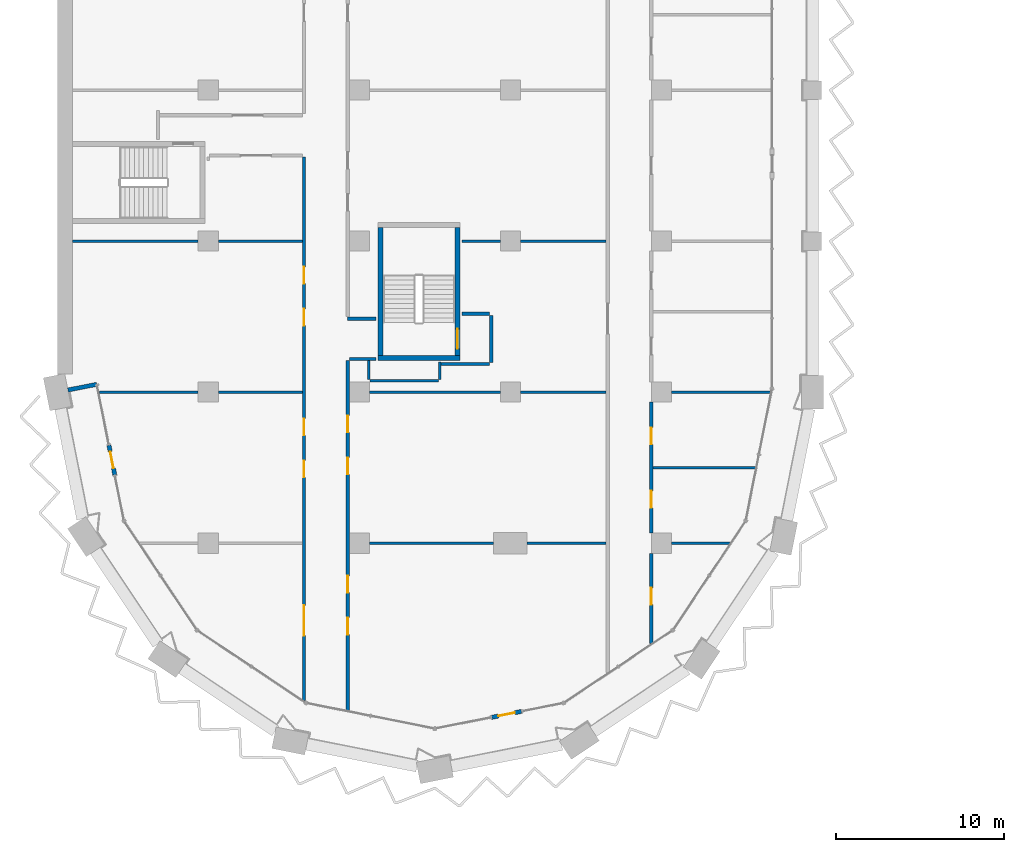
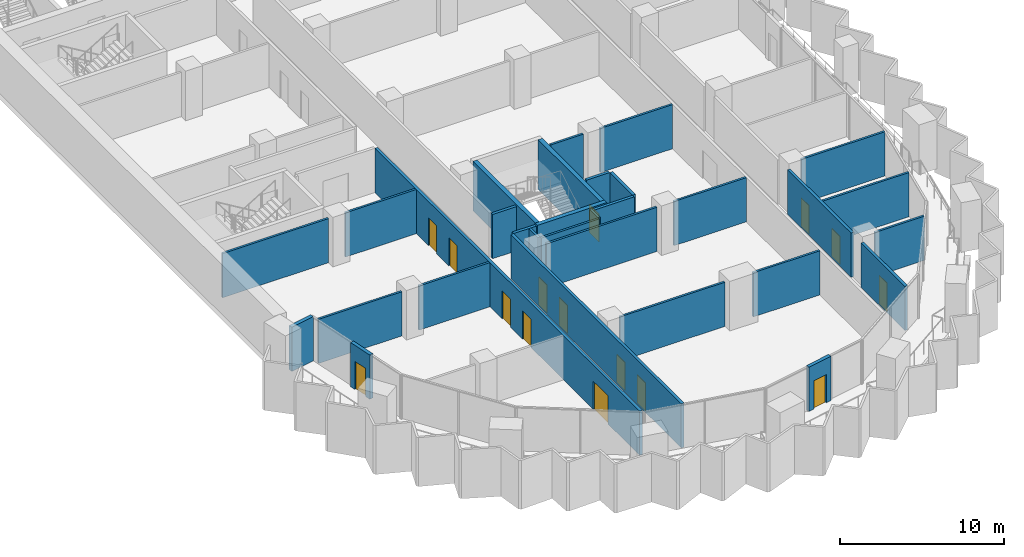
# One storey, part 8 of 22: 31 walls, 15 doors, 15 openings.
"""IFC4 building model written with IfcOpenShell, lengths in metres."""

from ifc_helpers import new_model, si_unit, direction, frame, frame_2d, origin, place, context, subcontext, project, spatial, rectangle, extrude, material, layer, layer_set, type_object, element, fill, save


model = new_model("IFC4")

# Units and contexts
model_context = context("Model", 3, precision=1e-05, world=origin(), true_north=direction((0.0, 1.0)))
body_context = subcontext(model_context, "Body", "Model", "MODEL_VIEW")
ifc_project = project(units=[si_unit("LENGTHUNIT", "METRE"), si_unit("AREAUNIT", "SQUARE_METRE"), si_unit("VOLUMEUNIT", "CUBIC_METRE"), si_unit("PLANEANGLEUNIT", "RADIAN"), si_unit("MASSUNIT", "GRAM", prefix="KILO")], contexts=[model_context])

# Site, building, storey
site_placement = place(None, origin())
site = spatial("IfcSite", under=ifc_project, at=site_placement, CompositionType="ELEMENT")
building_placement = place(site_placement, origin())
building = spatial("IfcBuilding", under=site, at=building_placement, Name="Hunhe Ridgeline Campus", CompositionType="ELEMENT")
storey_placement = place(building_placement, frame((0.0, 0.0, 141.199951171875)))
storey = spatial("IfcBuildingStorey", under=building, at=storey_placement, Name="L35", CompositionType="ELEMENT", Elevation=141.199951171875)

# Walls
ifc_material_1 = material(Name="Concrete C30", Category="concrete")
ifc_layer_1 = layer(ifc_material_1, 0.25)
ifc_layer_set_1 = layer_set([ifc_layer_1], Name="Corner return wall 250 Concrete C30")
wall_type_1 = type_object("IfcWallType", Name="Corner return wall 250 Concrete C30", PredefinedType="SOLIDWALL", material=ifc_layer_set_1)
wall_1_placement = place(storey_placement, frame((0.637451171875, 27.127685546875, 0.0), z_axis=(0.0, 0.0, 1.0), x_axis=(0.980842591884, 0.194801976239, 0.0)))
element("IfcWall", 1, at=wall_1_placement, inside=storey, type_object=wall_type_1, Name="Corner return wall 1", PredefinedType="SOLIDWALL", context=body_context, shape_type="SweptSolid", body=[
    extrude(rectangle(XDim=1.750732421875, YDim=0.25, at=frame_2d((0.87548828125, 0.0))), origin(), (0.0, 0.0, 1.0), 3.300048828125),
])
ifc_material_2 = material(Name="Gypsum board partition")
ifc_layer_2 = layer(ifc_material_2, 0.199951171875)
ifc_layer_set_2 = layer_set([ifc_layer_2], Name="Corridor partition 200 gypsum board on steel studs")
wall_type_2 = type_object("IfcWallType", Name="Corridor partition 200 gypsum board on steel studs", PredefinedType="PARTITIONING", material=ifc_layer_set_2)
wall_2_placement = place(storey_placement, frame((25.75, 28.675048828125, 0.0), z_axis=(0.0, 0.0, 1.0), x_axis=(-1.0, 0.0, 0.0)))
element("IfcWall", 2, at=wall_2_placement, inside=storey, type_object=wall_type_2, Name="F-L35-wall-013", PredefinedType="PARTITIONING", context=body_context, shape_type="SweptSolid", body=[
    extrude(rectangle(XDim=2.875, YDim=0.199951171875, at=frame_2d((1.4375, 0.0))), origin(), (0.0, 0.0, 1.0), 3.300048828125),
])
wall_3_placement = place(storey_placement, frame((18.99609375, 28.97509765625, 0.0), z_axis=(0.0, 0.0, 1.0), x_axis=(-1.0, 0.0, 0.0)))
element("IfcWall", 3, at=wall_3_placement, inside=storey, type_object=wall_type_2, Name="F-L35-wall-014", PredefinedType="PARTITIONING", context=body_context, shape_type="SweptSolid", body=[
    extrude(rectangle(XDim=1.59619140625, YDim=0.199951171875, at=frame_2d((0.798095703125, 0.0))), origin(), (0.0, 0.0, 1.0), 3.300048828125),
])
wall_4_placement = place(storey_placement, frame((17.300048828125, 31.375, 0.0), z_axis=(0.0, 0.0, 1.0), x_axis=(1.0, 0.0, 0.0)))
element("IfcWall", 4, at=wall_4_placement, inside=storey, type_object=wall_type_2, Name="F-L35-wall-015", PredefinedType="PARTITIONING", context=body_context, shape_type="SweptSolid", body=[
    extrude(rectangle(XDim=1.696044921875, YDim=0.199951171875, at=frame_2d((0.84814453125, 0.0))), origin(), (0.0, 0.0, 1.0), 3.300048828125),
])
wall_5_placement = place(storey_placement, frame((24.10400390625, 31.675048828125, 0.0), z_axis=(0.0, 0.0, 1.0), x_axis=(1.0, 0.0, 0.0)))
element("IfcWall", 5, at=wall_5_placement, inside=storey, type_object=wall_type_2, Name="F-L35-wall-016", PredefinedType="PARTITIONING", context=body_context, shape_type="SweptSolid", body=[
    extrude(rectangle(XDim=1.64599609375, YDim=0.199951171875, at=frame_2d((0.822998046875, 0.0))), origin(), (0.0, 0.0, 1.0), 3.300048828125),
])

# Wall, openings, doors
wall_6_placement = place(storey_placement, frame((14.699951171875, 8.623779296875, 0.0), z_axis=(0.0, 0.0, 1.0), x_axis=(0.0, 1.0, 0.0)))
wall_6 = element("IfcWall", 6, at=wall_6_placement, inside=storey, type_object=wall_type_2, Name="F-L35-wall-061", PredefinedType="PARTITIONING", context=body_context, shape_type="SweptSolid", body=[
    extrude(rectangle(XDim=32.376220703125, YDim=0.199951171875, at=frame_2d((16.18798828125, 0.0))), origin(), (0.0, 0.0, 1.0), 3.300048828125),
])
opening_1_placement = place(wall_6_placement, frame((3.86865234375, 0.0, 0.0)))
opening_1 = element("IfcOpeningElement", 7, at=opening_1_placement, cuts=wall_6, Name="Opening RD2-002", PredefinedType="OPENING", context=body_context, shape_type="SweptSolid", body=[
    extrude(rectangle(XDim=1.800048828125, YDim=2.10009765625, at=frame_2d((0.89990234375, 1.050048828125))), frame((0.0, 0.10009765625, 0.0), z_axis=(0.0, -1.0, 0.0), x_axis=(1.0, 0.0, 0.0)), (0.0, 0.0, 1.0), 0.199951171875),
])
opening_2_placement = place(wall_6_placement, frame((13.3037109375, 0.0, 0.0)))
opening_2 = element("IfcOpeningElement", 8, at=opening_2_placement, cuts=wall_6, Name="Opening RD1-006", PredefinedType="OPENING", context=body_context, shape_type="SweptSolid", body=[
    extrude(rectangle(XDim=1.0, YDim=2.10009765625, at=frame_2d((0.5, 1.050048828125))), frame((0.0, 0.10009765625, 0.0), z_axis=(0.0, -1.0, 0.0), x_axis=(1.0, 0.0, 0.0)), (0.0, 0.0, 1.0), 0.199951171875),
])
opening_3_placement = place(wall_6_placement, frame((15.8037109375, 0.0, 0.0)))
opening_3 = element("IfcOpeningElement", 9, at=opening_3_placement, cuts=wall_6, Name="Opening RD1-009", PredefinedType="OPENING", context=body_context, shape_type="SweptSolid", body=[
    extrude(rectangle(XDim=1.0, YDim=2.10009765625, at=frame_2d((0.5, 1.050048828125))), frame((0.0, 0.10009765625, 0.0), z_axis=(0.0, -1.0, 0.0), x_axis=(1.0, 0.0, 0.0)), (0.0, 0.0, 1.0), 0.199951171875),
])
opening_4_placement = place(wall_6_placement, frame((22.339111328125, 0.0, 0.0)))
opening_4 = element("IfcOpeningElement", 10, at=opening_4_placement, cuts=wall_6, Name="Opening RD1-013", PredefinedType="OPENING", context=body_context, shape_type="SweptSolid", body=[
    extrude(rectangle(XDim=1.0, YDim=2.10009765625, at=frame_2d((0.5, 1.050048828125))), frame((0.0, 0.10009765625, 0.0), z_axis=(0.0, -1.0, 0.0), x_axis=(1.0, 0.0, 0.0)), (0.0, 0.0, 1.0), 0.199951171875),
])
opening_5_placement = place(wall_6_placement, frame((24.839111328125, 0.0, 0.0)))
opening_5 = element("IfcOpeningElement", 11, at=opening_5_placement, cuts=wall_6, Name="Opening RD1-015", PredefinedType="OPENING", context=body_context, shape_type="SweptSolid", body=[
    extrude(rectangle(XDim=1.0, YDim=2.10009765625, at=frame_2d((0.5, 1.050048828125))), frame((0.0, 0.10009765625, 0.0), z_axis=(0.0, -1.0, 0.0), x_axis=(1.0, 0.0, 0.0)), (0.0, 0.0, 1.0), 0.199951171875),
])
ifc_material_3 = material(Name="Timber door leaf", Category="wood")
door_type_1 = type_object("IfcDoorType", Name="Double fire door 1800x2100 timber FD60", OperationType="DOUBLE_DOOR_SINGLE_SWING", PredefinedType="DOOR", material=ifc_material_3)
door_1_placement = place(opening_1_placement, origin())
door_1 = element("IfcDoor", 12, at=door_1_placement, inside=storey, type_object=door_type_1, Name="F-L35-door-002", OperationType="DOUBLE_DOOR_SINGLE_SWING", OverallHeight=2.10009765625, OverallWidth=1.800048828125, PredefinedType="DOOR", context=body_context, shape_type="SweptSolid", body=[
    extrude(rectangle(XDim=1.800048828125, YDim=2.10009765625, at=frame_2d((0.89990234375, 1.050048828125))), frame((0.0, 0.02490234375, 0.0), z_axis=(0.0, -1.0, 0.0), x_axis=(1.0, 0.0, 0.0)), (0.0, 0.0, 1.0), 0.050048828125),
])
fill(opening_1, door_1)
door_type_2 = type_object("IfcDoorType", Name="Single fire door 1000x2100 timber FD60", OperationType="NOTDEFINED", PredefinedType="DOOR", material=ifc_material_3)
door_2_placement = place(opening_2_placement, frame((1.0, 0.0, 0.0), z_axis=(0.0, 0.0, 1.0), x_axis=(-1.0, 0.0, 0.0)))
door_2 = element("IfcDoor", 13, at=door_2_placement, inside=storey, type_object=door_type_2, Name="F-L35-door-006", OperationType="SINGLE_SWING_LEFT", OverallHeight=2.10009765625, OverallWidth=1.0, PredefinedType="DOOR", context=body_context, shape_type="SweptSolid", body=[
    extrude(rectangle(XDim=1.0, YDim=2.10009765625, at=frame_2d((0.5, 1.050048828125))), frame((0.0, 0.02490234375, 0.0), z_axis=(0.0, -1.0, 0.0), x_axis=(1.0, 0.0, 0.0)), (0.0, 0.0, 1.0), 0.050048828125),
])
fill(opening_2, door_2)
door_3_placement = place(opening_3_placement, frame((1.0, 0.0, 0.0), z_axis=(0.0, 0.0, 1.0), x_axis=(-1.0, 0.0, 0.0)))
door_3 = element("IfcDoor", 14, at=door_3_placement, inside=storey, type_object=door_type_2, Name="F-L35-door-009", OperationType="SINGLE_SWING_LEFT", OverallHeight=2.10009765625, OverallWidth=1.0, PredefinedType="DOOR", context=body_context, shape_type="SweptSolid", body=[
    extrude(rectangle(XDim=1.0, YDim=2.10009765625, at=frame_2d((0.5, 1.050048828125))), frame((0.0, 0.02490234375, 0.0), z_axis=(0.0, -1.0, 0.0), x_axis=(1.0, 0.0, 0.0)), (0.0, 0.0, 1.0), 0.050048828125),
])
fill(opening_3, door_3)
door_4_placement = place(opening_4_placement, frame((1.0, 0.0, 0.0), z_axis=(0.0, 0.0, 1.0), x_axis=(-1.0, 0.0, 0.0)))
door_4 = element("IfcDoor", 15, at=door_4_placement, inside=storey, type_object=door_type_2, Name="F-L35-door-013", OperationType="SINGLE_SWING_LEFT", OverallHeight=2.10009765625, OverallWidth=1.0, PredefinedType="DOOR", context=body_context, shape_type="SweptSolid", body=[
    extrude(rectangle(XDim=1.0, YDim=2.10009765625, at=frame_2d((0.5, 1.050048828125))), frame((0.0, 0.02490234375, 0.0), z_axis=(0.0, -1.0, 0.0), x_axis=(1.0, 0.0, 0.0)), (0.0, 0.0, 1.0), 0.050048828125),
])
fill(opening_4, door_4)
door_5_placement = place(opening_5_placement, frame((1.0, 0.0, 0.0), z_axis=(0.0, 0.0, 1.0), x_axis=(-1.0, 0.0, 0.0)))
door_5 = element("IfcDoor", 16, at=door_5_placement, inside=storey, type_object=door_type_2, Name="F-L35-door-015", OperationType="SINGLE_SWING_LEFT", OverallHeight=2.10009765625, OverallWidth=1.0, PredefinedType="DOOR", context=body_context, shape_type="SweptSolid", body=[
    extrude(rectangle(XDim=1.0, YDim=2.10009765625, at=frame_2d((0.5, 1.050048828125))), frame((0.0, 0.02490234375, 0.0), z_axis=(0.0, -1.0, 0.0), x_axis=(1.0, 0.0, 0.0)), (0.0, 0.0, 1.0), 0.050048828125),
])
fill(opening_5, door_5)

wall_7_placement = place(storey_placement, frame((17.300048828125, 28.875, 0.0), z_axis=(0.0, 0.0, 1.0), x_axis=(0.0, -1.0, 0.0)))
wall_7 = element("IfcWall", 17, at=wall_7_placement, inside=storey, type_object=wall_type_2, Name="F-L35-wall-063", PredefinedType="PARTITIONING", context=body_context, shape_type="SweptSolid", body=[
    extrude(rectangle(XDim=20.837646484375, YDim=0.199951171875, at=frame_2d((10.4189453125, 0.0))), origin(), (0.0, 0.0, 1.0), 3.300048828125),
])
opening_6_placement = place(wall_7_placement, frame((15.31640625, 0.0, 0.0)))
opening_6 = element("IfcOpeningElement", 18, at=opening_6_placement, cuts=wall_7, Name="Opening RD1-001", PredefinedType="OPENING", context=body_context, shape_type="SweptSolid", body=[
    extrude(rectangle(XDim=1.0, YDim=2.10009765625, at=frame_2d((0.5, 1.050048828125))), frame((0.0, 0.10009765625, 0.0), z_axis=(0.0, -1.0, 0.0), x_axis=(1.0, 0.0, 0.0)), (0.0, 0.0, 1.0), 0.199951171875),
])
opening_7_placement = place(wall_7_placement, frame((12.81640625, 0.0, 0.0)))
opening_7 = element("IfcOpeningElement", 19, at=opening_7_placement, cuts=wall_7, Name="Opening RD1-004", PredefinedType="OPENING", context=body_context, shape_type="SweptSolid", body=[
    extrude(rectangle(XDim=1.0, YDim=2.10009765625, at=frame_2d((0.5, 1.050048828125))), frame((0.0, 0.10009765625, 0.0), z_axis=(0.0, -1.0, 0.0), x_axis=(1.0, 0.0, 0.0)), (0.0, 0.0, 1.0), 0.199951171875),
])
opening_8_placement = place(wall_7_placement, frame((5.7763671875, 0.0, 0.0)))
opening_8 = element("IfcOpeningElement", 20, at=opening_8_placement, cuts=wall_7, Name="Opening RD1-007", PredefinedType="OPENING", context=body_context, shape_type="SweptSolid", body=[
    extrude(rectangle(XDim=1.0, YDim=2.10009765625, at=frame_2d((0.5, 1.050048828125))), frame((0.0, 0.10009765625, 0.0), z_axis=(0.0, -1.0, 0.0), x_axis=(1.0, 0.0, 0.0)), (0.0, 0.0, 1.0), 0.199951171875),
])
opening_9_placement = place(wall_7_placement, frame((3.2763671875, 0.0, 0.0)))
opening_9 = element("IfcOpeningElement", 21, at=opening_9_placement, cuts=wall_7, Name="Opening RD1-010", PredefinedType="OPENING", context=body_context, shape_type="SweptSolid", body=[
    extrude(rectangle(XDim=1.0, YDim=2.10009765625, at=frame_2d((0.5, 1.050048828125))), frame((0.0, 0.10009765625, 0.0), z_axis=(0.0, -1.0, 0.0), x_axis=(1.0, 0.0, 0.0)), (0.0, 0.0, 1.0), 0.199951171875),
])
door_6_placement = place(opening_6_placement, frame((1.0, 0.0, 0.0), z_axis=(0.0, 0.0, 1.0), x_axis=(-1.0, 0.0, 0.0)))
door_6 = element("IfcDoor", 22, at=door_6_placement, inside=storey, type_object=door_type_2, Name="F-L35-door-001", OperationType="SINGLE_SWING_RIGHT", OverallHeight=2.10009765625, OverallWidth=1.0, PredefinedType="DOOR", context=body_context, shape_type="SweptSolid", body=[
    extrude(rectangle(XDim=1.0, YDim=2.10009765625, at=frame_2d((0.5, 1.050048828125))), frame((0.0, 0.02490234375, 0.0), z_axis=(0.0, -1.0, 0.0), x_axis=(1.0, 0.0, 0.0)), (0.0, 0.0, 1.0), 0.050048828125),
])
fill(opening_6, door_6)
door_7_placement = place(opening_7_placement, frame((1.0, 0.0, 0.0), z_axis=(0.0, 0.0, 1.0), x_axis=(-1.0, 0.0, 0.0)))
door_7 = element("IfcDoor", 23, at=door_7_placement, inside=storey, type_object=door_type_2, Name="F-L35-door-004", OperationType="SINGLE_SWING_RIGHT", OverallHeight=2.10009765625, OverallWidth=1.0, PredefinedType="DOOR", context=body_context, shape_type="SweptSolid", body=[
    extrude(rectangle(XDim=1.0, YDim=2.10009765625, at=frame_2d((0.5, 1.050048828125))), frame((0.0, 0.02490234375, 0.0), z_axis=(0.0, -1.0, 0.0), x_axis=(1.0, 0.0, 0.0)), (0.0, 0.0, 1.0), 0.050048828125),
])
fill(opening_7, door_7)
door_8_placement = place(opening_8_placement, frame((1.0, 0.0, 0.0), z_axis=(0.0, 0.0, 1.0), x_axis=(-1.0, 0.0, 0.0)))
door_8 = element("IfcDoor", 24, at=door_8_placement, inside=storey, type_object=door_type_2, Name="F-L35-door-007", OperationType="SINGLE_SWING_RIGHT", OverallHeight=2.10009765625, OverallWidth=1.0, PredefinedType="DOOR", context=body_context, shape_type="SweptSolid", body=[
    extrude(rectangle(XDim=1.0, YDim=2.10009765625, at=frame_2d((0.5, 1.050048828125))), frame((0.0, 0.02490234375, 0.0), z_axis=(0.0, -1.0, 0.0), x_axis=(1.0, 0.0, 0.0)), (0.0, 0.0, 1.0), 0.050048828125),
])
fill(opening_8, door_8)
door_9_placement = place(opening_9_placement, frame((1.0, 0.0, 0.0), z_axis=(0.0, 0.0, 1.0), x_axis=(-1.0, 0.0, 0.0)))
door_9 = element("IfcDoor", 25, at=door_9_placement, inside=storey, type_object=door_type_2, Name="F-L35-door-010", OperationType="SINGLE_SWING_RIGHT", OverallHeight=2.10009765625, OverallWidth=1.0, PredefinedType="DOOR", context=body_context, shape_type="SweptSolid", body=[
    extrude(rectangle(XDim=1.0, YDim=2.10009765625, at=frame_2d((0.5, 1.050048828125))), frame((0.0, 0.02490234375, 0.0), z_axis=(0.0, -1.0, 0.0), x_axis=(1.0, 0.0, 0.0)), (0.0, 0.0, 1.0), 0.050048828125),
])
fill(opening_9, door_9)

# Wall
wall_8_placement = place(storey_placement, frame((25.85009765625, 31.574951171875, 0.0), z_axis=(0.0, 0.0, 1.0), x_axis=(0.0, -1.0, 0.0)))
element("IfcWall", 26, at=wall_8_placement, inside=storey, type_object=wall_type_2, Name="F-L35-wall-067", PredefinedType="PARTITIONING", context=body_context, shape_type="SweptSolid", body=[
    extrude(rectangle(XDim=2.800048828125, YDim=0.199951171875, at=frame_2d((1.39990234375, 0.0))), origin(), (0.0, 0.0, 1.0), 3.300048828125),
])

# Wall, opening, door
wall_9_placement = place(storey_placement, frame((35.39990234375, 17.39990234375, 0.0), z_axis=(0.0, 0.0, 1.0), x_axis=(0.0, -1.0, 0.0)))
wall_9 = element("IfcWall", 27, at=wall_9_placement, inside=storey, type_object=wall_type_2, Name="F-L35-wall-069", PredefinedType="PARTITIONING", context=body_context, shape_type="SweptSolid", body=[
    extrude(rectangle(XDim=5.368408203125, YDim=0.199951171875, at=frame_2d((2.68408203125, 0.0))), origin(), (0.0, 0.0, 1.0), 3.300048828125),
])
opening_10_placement = place(wall_9_placement, frame((2.056396484375, 0.0, 0.0)))
opening_10 = element("IfcOpeningElement", 28, at=opening_10_placement, cuts=wall_9, Name="Opening RD1-003", PredefinedType="OPENING", context=body_context, shape_type="SweptSolid", body=[
    extrude(rectangle(XDim=1.0, YDim=2.10009765625, at=frame_2d((0.5, 1.050048828125))), frame((0.0, 0.10009765625, 0.0), z_axis=(0.0, -1.0, 0.0), x_axis=(1.0, 0.0, 0.0)), (0.0, 0.0, 1.0), 0.199951171875),
])
door_10_placement = place(opening_10_placement, origin())
door_10 = element("IfcDoor", 29, at=door_10_placement, inside=storey, type_object=door_type_2, Name="F-L35-door-003", OperationType="SINGLE_SWING_LEFT", OverallHeight=2.10009765625, OverallWidth=1.0, PredefinedType="DOOR", context=body_context, shape_type="SweptSolid", body=[
    extrude(rectangle(XDim=1.0, YDim=2.10009765625, at=frame_2d((0.5, 1.050048828125))), frame((0.0, 0.02490234375, 0.0), z_axis=(0.0, -1.0, 0.0), x_axis=(1.0, 0.0, 0.0)), (0.0, 0.0, 1.0), 0.050048828125),
])
fill(opening_10, door_10)

# Wall, openings, doors
wall_10_placement = place(storey_placement, frame((35.39990234375, 26.39990234375, 0.0), z_axis=(0.0, 0.0, 1.0), x_axis=(0.0, -1.0, 0.0)))
wall_10 = element("IfcWall", 30, at=wall_10_placement, inside=storey, type_object=wall_type_2, Name="F-L35-wall-070", PredefinedType="PARTITIONING", context=body_context, shape_type="SweptSolid", body=[
    extrude(rectangle(XDim=7.7998046875, YDim=0.199951171875, at=frame_2d((3.89990234375, 0.0))), origin(), (0.0, 0.0, 1.0), 3.300048828125),
])
opening_11_placement = place(wall_10_placement, frame((5.287109375, 0.0, 0.0)))
opening_11 = element("IfcOpeningElement", 31, at=opening_11_placement, cuts=wall_10, Name="Opening RD1-005", PredefinedType="OPENING", context=body_context, shape_type="SweptSolid", body=[
    extrude(rectangle(XDim=1.0, YDim=2.10009765625, at=frame_2d((0.5, 1.050048828125))), frame((0.0, 0.10009765625, 0.0), z_axis=(0.0, -1.0, 0.0), x_axis=(1.0, 0.0, 0.0)), (0.0, 0.0, 1.0), 0.199951171875),
])
opening_12_placement = place(wall_10_placement, frame((1.512939453125, 0.0, 0.0)))
opening_12 = element("IfcOpeningElement", 32, at=opening_12_placement, cuts=wall_10, Name="Opening RD1-008", PredefinedType="OPENING", context=body_context, shape_type="SweptSolid", body=[
    extrude(rectangle(XDim=1.0, YDim=2.10009765625, at=frame_2d((0.5, 1.050048828125))), frame((0.0, 0.10009765625, 0.0), z_axis=(0.0, -1.0, 0.0), x_axis=(1.0, 0.0, 0.0)), (0.0, 0.0, 1.0), 0.199951171875),
])
door_11_placement = place(opening_11_placement, origin())
door_11 = element("IfcDoor", 33, at=door_11_placement, inside=storey, type_object=door_type_2, Name="F-L35-door-005", OperationType="SINGLE_SWING_LEFT", OverallHeight=2.10009765625, OverallWidth=1.0, PredefinedType="DOOR", context=body_context, shape_type="SweptSolid", body=[
    extrude(rectangle(XDim=1.0, YDim=2.10009765625, at=frame_2d((0.5, 1.050048828125))), frame((0.0, 0.02490234375, 0.0), z_axis=(0.0, -1.0, 0.0), x_axis=(1.0, 0.0, 0.0)), (0.0, 0.0, 1.0), 0.050048828125),
])
fill(opening_11, door_11)
door_12_placement = place(opening_12_placement, origin())
door_12 = element("IfcDoor", 34, at=door_12_placement, inside=storey, type_object=door_type_2, Name="F-L35-door-008", OperationType="SINGLE_SWING_LEFT", OverallHeight=2.10009765625, OverallWidth=1.0, PredefinedType="DOOR", context=body_context, shape_type="SweptSolid", body=[
    extrude(rectangle(XDim=1.0, YDim=2.10009765625, at=frame_2d((0.5, 1.050048828125))), frame((0.0, 0.02490234375, 0.0), z_axis=(0.0, -1.0, 0.0), x_axis=(1.0, 0.0, 0.0)), (0.0, 0.0, 1.0), 0.050048828125),
])
fill(opening_12, door_12)

# Wall, opening, door
ifc_layer_3 = layer(ifc_material_1, 0.25)
ifc_layer_set_3 = layer_set([ifc_layer_3], Name="Loggia door pier wall 250 Concrete C30")
wall_type_3 = type_object("IfcWallType", Name="Loggia door pier wall 250 Concrete C30", PredefinedType="SOLIDWALL", material=ifc_layer_set_3)
wall_11_placement = place(storey_placement, frame((3.076904296875, 23.8388671875, 0.0), z_axis=(0.0, 0.0, 1.0), x_axis=(0.195046569833, -0.980793982239, 0.0)))
wall_11 = element("IfcWall", 35, at=wall_11_placement, inside=storey, type_object=wall_type_3, Name="Loggia door pier 1", PredefinedType="SOLIDWALL", context=body_context, shape_type="SweptSolid", body=[
    extrude(rectangle(XDim=1.800048828125, YDim=0.25, at=frame_2d((0.89990234375, 0.0))), origin(), (0.0, 0.0, 1.0), 3.300048828125),
])
opening_13_placement = place(wall_11_placement, frame((0.39990234375, 0.0, 0.0)))
opening_13 = element("IfcOpeningElement", 36, at=opening_13_placement, cuts=wall_11, Name="Opening BD301", PredefinedType="OPENING", context=body_context, shape_type="SweptSolid", body=[
    extrude(rectangle(XDim=1.0, YDim=2.10009765625, at=frame_2d((0.5, 1.050048828125))), frame((0.0, 0.125, 0.0), z_axis=(0.0, -1.0, 0.0), x_axis=(1.0, 0.0, 0.0)), (0.0, 0.0, 1.0), 0.25),
])
ifc_material_4 = material(Name="Aluminium 6063", Category="aluminium")
door_type_3 = type_object("IfcDoorType", Name="Loggia glazed door 1000x2100", OperationType="NOTDEFINED", PredefinedType="DOOR", material=ifc_material_4)
door_13_placement = place(opening_13_placement, frame((1.0, 0.0, 0.0), z_axis=(0.0, 0.0, 1.0), x_axis=(-1.0, 0.0, 0.0)))
door_13 = element("IfcDoor", 37, at=door_13_placement, inside=storey, type_object=door_type_3, Name="Loggia door BD301", OperationType="SINGLE_SWING_RIGHT", OverallHeight=2.10009765625, OverallWidth=1.0, PredefinedType="DOOR", context=body_context, shape_type="SweptSolid", body=[
    extrude(rectangle(XDim=1.0, YDim=2.10009765625, at=frame_2d((0.5, 1.050048828125))), frame((0.0, 0.02490234375, 0.0), z_axis=(0.0, -1.0, 0.0), x_axis=(1.0, 0.0, 0.0)), (0.0, 0.0, 1.0), 0.050048828125),
])
fill(opening_13, door_13)

wall_12_placement = place(storey_placement, frame((25.8955078125, 7.62353515625, 0.0), z_axis=(0.0, 0.0, 1.0), x_axis=(0.980793982239, 0.195046569833, 0.0)))
wall_12 = element("IfcWall", 38, at=wall_12_placement, inside=storey, type_object=wall_type_3, Name="Loggia door pier 2", PredefinedType="SOLIDWALL", context=body_context, shape_type="SweptSolid", body=[
    extrude(rectangle(XDim=1.800048828125, YDim=0.25, at=frame_2d((0.89990234375, 0.0))), origin(), (0.0, 0.0, 1.0), 3.300048828125),
])
opening_14_placement = place(wall_12_placement, frame((0.39990234375, 0.0, 0.0)))
opening_14 = element("IfcOpeningElement", 39, at=opening_14_placement, cuts=wall_12, Name="Opening BD303", PredefinedType="OPENING", context=body_context, shape_type="SweptSolid", body=[
    extrude(rectangle(XDim=1.0, YDim=2.10009765625, at=frame_2d((0.5, 1.050048828125))), frame((0.0, 0.125, 0.0), z_axis=(0.0, -1.0, 0.0), x_axis=(1.0, 0.0, 0.0)), (0.0, 0.0, 1.0), 0.25),
])
door_14_placement = place(opening_14_placement, frame((1.0, 0.0, 0.0), z_axis=(0.0, 0.0, 1.0), x_axis=(-1.0, 0.0, 0.0)))
door_14 = element("IfcDoor", 40, at=door_14_placement, inside=storey, type_object=door_type_3, Name="Loggia door BD303", OperationType="SINGLE_SWING_RIGHT", OverallHeight=2.10009765625, OverallWidth=1.0, PredefinedType="DOOR", context=body_context, shape_type="SweptSolid", body=[
    extrude(rectangle(XDim=1.0, YDim=2.10009765625, at=frame_2d((0.5, 1.050048828125))), frame((0.0, 0.02490234375, 0.0), z_axis=(0.0, -1.0, 0.0), x_axis=(1.0, 0.0, 0.0)), (0.0, 0.0, 1.0), 0.050048828125),
])
fill(opening_14, door_14)

# Walls
ifc_layer_4 = layer(ifc_material_2, 0.14990234375)
ifc_layer_set_4 = layer_set([ifc_layer_4], Name="Room partition 150 gypsum board on steel studs")
wall_type_4 = type_object("IfcWallType", Name="Room partition 150 gypsum board on steel studs", PredefinedType="PARTITIONING", material=ifc_layer_set_4)
wall_13_placement = place(storey_placement, frame((18.60009765625, 18.0, 0.0), z_axis=(0.0, 0.0, 1.0), x_axis=(1.0, 0.0, 0.0)))
element("IfcWall", 41, at=wall_13_placement, inside=storey, type_object=wall_type_4, Name="F-L35-wall-003", PredefinedType="PARTITIONING", context=body_context, shape_type="SweptSolid", body=[
    extrude(rectangle(XDim=7.39990234375, YDim=0.14990234375, at=frame_2d((3.699951171875, 0.0))), origin(), (0.0, 0.0, 1.0), 3.300048828125),
])
wall_14_placement = place(storey_placement, frame((28.0, 18.0, 0.0), z_axis=(0.0, 0.0, 1.0), x_axis=(1.0, 0.0, 0.0)))
element("IfcWall", 42, at=wall_14_placement, inside=storey, type_object=wall_type_4, Name="F-L35-wall-004", PredefinedType="PARTITIONING", context=body_context, shape_type="SweptSolid", body=[
    extrude(rectangle(XDim=4.699951171875, YDim=0.14990234375, at=frame_2d((2.35009765625, 0.0))), origin(), (0.0, 0.0, 1.0), 3.300048828125),
])
wall_15_placement = place(storey_placement, frame((36.60009765625, 18.0, 0.0), z_axis=(0.0, 0.0, 1.0), x_axis=(1.0, 0.0, 0.0)))
element("IfcWall", 43, at=wall_15_placement, inside=storey, type_object=wall_type_4, Name="F-L35-wall-005", PredefinedType="PARTITIONING", context=body_context, shape_type="SweptSolid", body=[
    extrude(rectangle(XDim=3.474365234375, YDim=0.14990234375, at=frame_2d((1.7373046875, 0.0))), origin(), (0.0, 0.0, 1.0), 3.300048828125),
])
wall_16_placement = place(storey_placement, frame((35.5, 22.5, 0.0), z_axis=(0.0, 0.0, 1.0), x_axis=(1.0, 0.0, 0.0)))
element("IfcWall", 44, at=wall_16_placement, inside=storey, type_object=wall_type_4, Name="F-L35-wall-006", PredefinedType="PARTITIONING", context=body_context, shape_type="SweptSolid", body=[
    extrude(rectangle(XDim=6.101806640625, YDim=0.14990234375, at=frame_2d((3.05078125, 0.0))), origin(), (0.0, 0.0, 1.0), 3.300048828125),
])
wall_17_placement = place(storey_placement, frame((2.503173828125, 27.0, 0.0), z_axis=(0.0, 0.0, 1.0), x_axis=(1.0, 0.0, 0.0)))
element("IfcWall", 45, at=wall_17_placement, inside=storey, type_object=wall_type_4, Name="F-L35-wall-007", PredefinedType="PARTITIONING", context=body_context, shape_type="SweptSolid", body=[
    extrude(rectangle(XDim=5.896728515625, YDim=0.14990234375, at=frame_2d((2.9482421875, 0.0))), origin(), (0.0, 0.0, 1.0), 3.300048828125),
])
wall_18_placement = place(storey_placement, frame((9.60009765625, 27.0, 0.0), z_axis=(0.0, 0.0, 1.0), x_axis=(1.0, 0.0, 0.0)))
element("IfcWall", 46, at=wall_18_placement, inside=storey, type_object=wall_type_4, Name="F-L35-wall-008", PredefinedType="PARTITIONING", context=body_context, shape_type="SweptSolid", body=[
    extrude(rectangle(XDim=5.0, YDim=0.14990234375, at=frame_2d((2.5, 0.0))), origin(), (0.0, 0.0, 1.0), 3.300048828125),
])
wall_19_placement = place(storey_placement, frame((18.60009765625, 27.0, 0.0), z_axis=(0.0, 0.0, 1.0), x_axis=(1.0, 0.0, 0.0)))
element("IfcWall", 47, at=wall_19_placement, inside=storey, type_object=wall_type_4, Name="F-L35-wall-009", PredefinedType="PARTITIONING", context=body_context, shape_type="SweptSolid", body=[
    extrude(rectangle(XDim=7.7998046875, YDim=0.14990234375, at=frame_2d((3.89990234375, 0.0))), origin(), (0.0, 0.0, 1.0), 3.300048828125),
])
wall_20_placement = place(storey_placement, frame((27.60009765625, 27.0, 0.0), z_axis=(0.0, 0.0, 1.0), x_axis=(1.0, 0.0, 0.0)))
element("IfcWall", 48, at=wall_20_placement, inside=storey, type_object=wall_type_4, Name="F-L35-wall-010", PredefinedType="PARTITIONING", context=body_context, shape_type="SweptSolid", body=[
    extrude(rectangle(XDim=5.099853515625, YDim=0.14990234375, at=frame_2d((2.5498046875, 0.0))), origin(), (0.0, 0.0, 1.0), 3.300048828125),
])
wall_21_placement = place(storey_placement, frame((36.60009765625, 27.0, 0.0), z_axis=(0.0, 0.0, 1.0), x_axis=(1.0, 0.0, 0.0)))
element("IfcWall", 49, at=wall_21_placement, inside=storey, type_object=wall_type_4, Name="F-L35-wall-011", PredefinedType="PARTITIONING", context=body_context, shape_type="SweptSolid", body=[
    extrude(rectangle(XDim=5.896728515625, YDim=0.14990234375, at=frame_2d((2.9482421875, 0.0))), origin(), (0.0, 0.0, 1.0), 3.300048828125),
])
wall_22_placement = place(storey_placement, frame((18.625, 27.68994140625, 0.0), z_axis=(0.0, 0.0, 1.0), x_axis=(1.0, 0.0, 0.0)))
element("IfcWall", 50, at=wall_22_placement, inside=storey, type_object=wall_type_4, Name="F-L35-wall-012", PredefinedType="PARTITIONING", context=body_context, shape_type="SweptSolid", body=[
    extrude(rectangle(XDim=4.10009765625, YDim=0.14990234375, at=frame_2d((2.050048828125, 0.0))), origin(), (0.0, 0.0, 1.0), 3.300048828125),
])
wall_23_placement = place(storey_placement, frame((0.919921875, 36.0, 0.0), z_axis=(0.0, 0.0, 1.0), x_axis=(1.0, 0.0, 0.0)))
element("IfcWall", 51, at=wall_23_placement, inside=storey, type_object=wall_type_4, Name="F-L35-wall-018", PredefinedType="PARTITIONING", context=body_context, shape_type="SweptSolid", body=[
    extrude(rectangle(XDim=7.47998046875, YDim=0.14990234375, at=frame_2d((3.739990234375, 0.0))), origin(), (0.0, 0.0, 1.0), 3.300048828125),
])
wall_24_placement = place(storey_placement, frame((9.60009765625, 36.0, 0.0), z_axis=(0.0, 0.0, 1.0), x_axis=(1.0, 0.0, 0.0)))
element("IfcWall", 52, at=wall_24_placement, inside=storey, type_object=wall_type_4, Name="F-L35-wall-019", PredefinedType="PARTITIONING", context=body_context, shape_type="SweptSolid", body=[
    extrude(rectangle(XDim=5.0, YDim=0.14990234375, at=frame_2d((2.5, 0.0))), origin(), (0.0, 0.0, 1.0), 3.300048828125),
])
wall_25_placement = place(storey_placement, frame((24.10400390625, 36.0, 0.0), z_axis=(0.0, 0.0, 1.0), x_axis=(1.0, 0.0, 0.0)))
element("IfcWall", 53, at=wall_25_placement, inside=storey, type_object=wall_type_4, Name="F-L35-wall-020", PredefinedType="PARTITIONING", context=body_context, shape_type="SweptSolid", body=[
    extrude(rectangle(XDim=2.2958984375, YDim=0.14990234375, at=frame_2d((1.14794921875, 0.0))), origin(), (0.0, 0.0, 1.0), 3.300048828125),
])
wall_26_placement = place(storey_placement, frame((27.60009765625, 36.0, 0.0), z_axis=(0.0, 0.0, 1.0), x_axis=(1.0, 0.0, 0.0)))
element("IfcWall", 54, at=wall_26_placement, inside=storey, type_object=wall_type_4, Name="F-L35-wall-021", PredefinedType="PARTITIONING", context=body_context, shape_type="SweptSolid", body=[
    extrude(rectangle(XDim=5.099853515625, YDim=0.14990234375, at=frame_2d((2.5498046875, 0.0))), origin(), (0.0, 0.0, 1.0), 3.300048828125),
])
wall_27_placement = place(storey_placement, frame((18.550048828125, 28.875, 0.0), z_axis=(0.0, 0.0, 1.0), x_axis=(0.0, -1.0, 0.0)))
element("IfcWall", 55, at=wall_27_placement, inside=storey, type_object=wall_type_4, Name="F-L35-wall-065", PredefinedType="PARTITIONING", context=body_context, shape_type="SweptSolid", body=[
    extrude(rectangle(XDim=1.110107421875, YDim=0.14990234375, at=frame_2d((0.55517578125, 0.0))), origin(), (0.0, 0.0, 1.0), 3.300048828125),
])
wall_28_placement = place(storey_placement, frame((22.800048828125, 28.7958984375, 0.0), z_axis=(0.0, 0.0, 1.0), x_axis=(0.0, -1.0, 0.0)))
element("IfcWall", 56, at=wall_28_placement, inside=storey, type_object=wall_type_4, Name="F-L35-wall-066", PredefinedType="PARTITIONING", context=body_context, shape_type="SweptSolid", body=[
    extrude(rectangle(XDim=1.031005859375, YDim=0.14990234375, at=frame_2d((0.515625, 0.0))), origin(), (0.0, 0.0, 1.0), 3.300048828125),
])
ifc_material_5 = material(Name="Concrete C70", Category="concrete")
ifc_layer_5 = layer(ifc_material_5, 0.300048828125)
ifc_layer_set_5 = layer_set([ifc_layer_5], Name="Stair wall 300 reinforced concrete C70")
wall_type_5 = type_object("IfcWallType", Name="Stair wall 300 reinforced concrete C70", PredefinedType="SOLIDWALL", material=ifc_layer_set_5)
wall_29_placement = place(storey_placement, frame((19.10009765625, 29.050048828125, -0.39990234375), z_axis=(0.0, 0.0, 1.0), x_axis=(1.0, 0.0, 0.0)))
element("IfcWall", 57, at=wall_29_placement, inside=storey, type_object=wall_type_5, Name="L35 core wall 1", PredefinedType="SOLIDWALL", context=body_context, shape_type="SweptSolid", body=[
    extrude(rectangle(XDim=4.89990234375, YDim=0.300048828125, at=frame_2d((2.449951171875, 0.0))), origin(), (0.0, 0.0, 1.0), 3.699951171875),
])
wall_30_placement = place(storey_placement, frame((19.25, 29.199951171875, -0.39990234375), z_axis=(0.0, 0.0, 1.0), x_axis=(0.0, 1.0, 0.0)))
element("IfcWall", 58, at=wall_30_placement, inside=storey, type_object=wall_type_5, Name="L35 core wall 46", PredefinedType="SOLIDWALL", context=body_context, shape_type="SweptSolid", body=[
    extrude(rectangle(XDim=7.60009765625, YDim=0.300048828125, at=frame_2d((3.800048828125, 0.0))), origin(), (0.0, 0.0, 1.0), 3.699951171875),
])

# Wall, opening, door
wall_31_placement = place(storey_placement, frame((23.85009765625, 29.199951171875, -0.39990234375), z_axis=(0.0, 0.0, 1.0), x_axis=(0.0, 1.0, 0.0)))
wall_31 = element("IfcWall", 59, at=wall_31_placement, inside=storey, type_object=wall_type_5, Name="L35 core wall 51", PredefinedType="SOLIDWALL", context=body_context, shape_type="SweptSolid", body=[
    extrude(rectangle(XDim=7.60009765625, YDim=0.300048828125, at=frame_2d((3.800048828125, 0.0))), origin(), (0.0, 0.0, 1.0), 3.699951171875),
])
opening_15_placement = place(wall_31_placement, frame((0.375, 0.0, 0.39990234375)))
opening_15 = element("IfcOpeningElement", 60, at=opening_15_placement, cuts=wall_31, Name="Opening CD23", PredefinedType="OPENING", context=body_context, shape_type="SweptSolid", body=[
    extrude(rectangle(XDim=1.199951171875, YDim=2.10009765625, at=frame_2d((0.60009765625, 1.050048828125))), frame((0.0, 0.14990234375, 0.0), z_axis=(0.0, -1.0, 0.0), x_axis=(1.0, 0.0, 0.0)), (0.0, 0.0, 1.0), 0.300048828125),
])
ifc_material_6 = material(Name="Hollow metal fire door leaf")
door_type_4 = type_object("IfcDoorType", Name="Stair door 1200x2100 FD60", OperationType="SINGLE_SWING_LEFT", PredefinedType="DOOR", material=ifc_material_6)
door_15_placement = place(opening_15_placement, frame((1.199951171875, 0.0, 0.0), z_axis=(0.0, 0.0, 1.0), x_axis=(-1.0, 0.0, 0.0)))
door_15 = element("IfcDoor", 61, at=door_15_placement, inside=storey, type_object=door_type_4, Name="L35 door W3", OperationType="SINGLE_SWING_RIGHT", OverallHeight=2.10009765625, OverallWidth=1.199951171875, PredefinedType="DOOR", context=body_context, shape_type="SweptSolid", body=[
    extrude(rectangle(XDim=1.199951171875, YDim=2.10009765625, at=frame_2d((0.60009765625, 1.050048828125))), frame((0.0, 0.02490234375, 0.0), z_axis=(0.0, -1.0, 0.0), x_axis=(1.0, 0.0, 0.0)), (0.0, 0.0, 1.0), 0.050048828125),
])
fill(opening_15, door_15)

save(model, "model.ifc")
